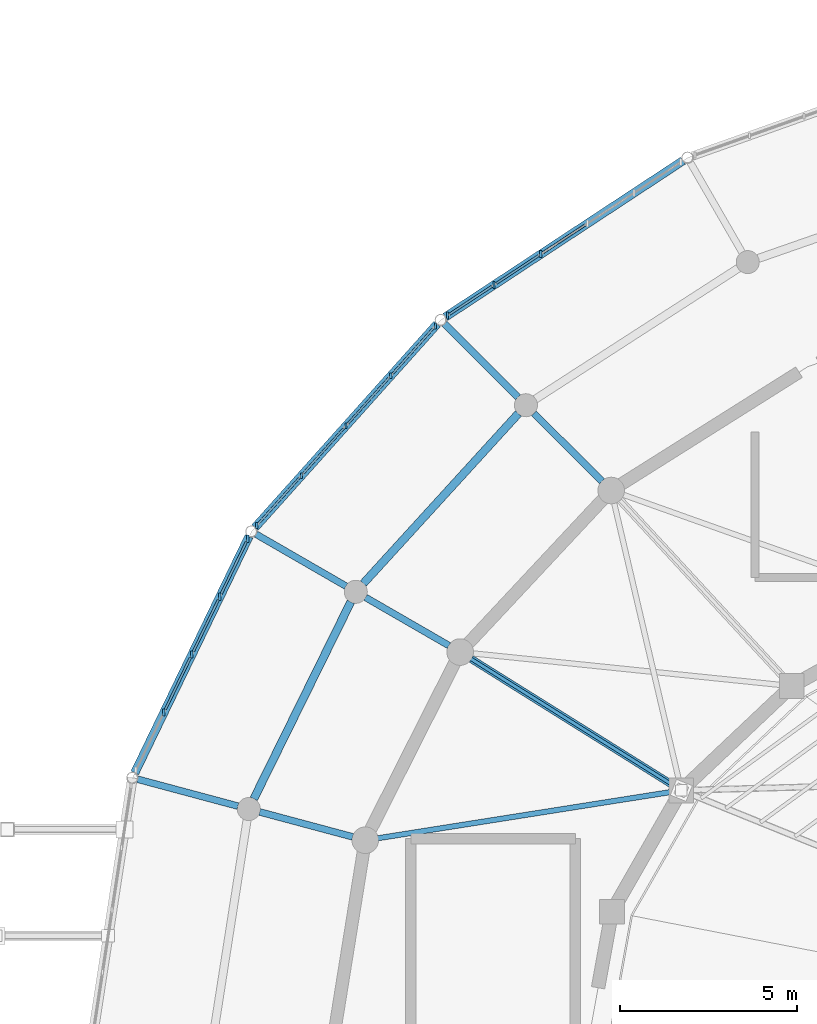
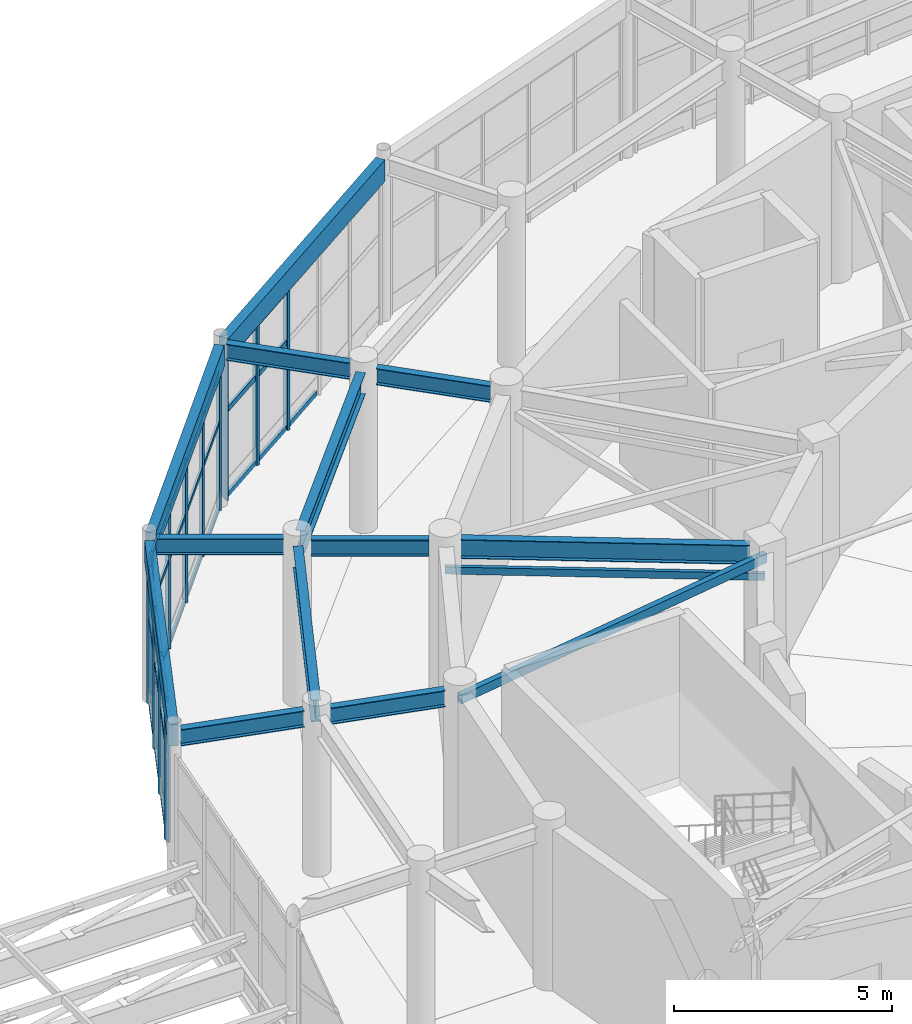
# One storey, part 39 of 144: 42 members, 12 beams, 3 elements without a shape of their own.
"""IFC4 building model written with IfcOpenShell, lengths in metres."""

from ifc_helpers import new_model, si_unit, direction, frame, origin, origin_2d, place, context, subcontext, project, spatial, rectangle, hollow_rectangle, i_section, extrude, material, material_profile, profile_set, type_object, element, aggregate, save


model = new_model("IFC4")

# Units and contexts
model_context = context("Model", 3, precision=1e-05, world=origin(), true_north=direction((0.0, 1.0)))
body_context = subcontext(model_context, "Body", "Model", "MODEL_VIEW")
ifc_project = project(units=[si_unit("LENGTHUNIT", "METRE"), si_unit("AREAUNIT", "SQUARE_METRE"), si_unit("VOLUMEUNIT", "CUBIC_METRE"), si_unit("PLANEANGLEUNIT", "RADIAN"), si_unit("MASSUNIT", "GRAM", prefix="KILO")], contexts=[model_context])

# Site, building, storey
site_placement = place(None, origin())
site = spatial("IfcSite", under=ifc_project, at=site_placement, CompositionType="ELEMENT")
building_placement = place(site_placement, origin())
building = spatial("IfcBuilding", under=site, at=building_placement, Name="Cinderbank Siding Concert Hall", CompositionType="ELEMENT")
storey_placement = place(building_placement, frame((0.0, 0.0, 5.39990234375)))
storey = spatial("IfcBuildingStorey", under=building, at=storey_placement, Name="L02", CompositionType="ELEMENT", Elevation=5.39990234375)

# Beams
ifc_material_1 = material(Name="Structural steel AS/NZS 3679.1 Grade 350 (340 MPa)", Category="steel")
ifc_material_profile_1 = material_profile(ifc_material_1, i_section(OverallWidth=0.19091796875, OverallDepth=0.46044921875, WebThickness=0.010009765625, FlangeThickness=0.01611328125, at=origin_2d()), Name="460UB82.1", Category="LoadBearing")
ifc_profile_set_1 = profile_set([ifc_material_profile_1], Name="Structural steel AS/NZS 3679.1 Grade 350 (340 MPa)")
beam_type_1 = type_object("IfcBeamType", Name="BM-UB460H 460UB82.1", PredefinedType="BEAM", material=ifc_profile_set_1)
beam_1_placement = place(storey_placement, frame((102.7900390625, 59.81591796875, 4.2919921875), z_axis=(-0.707151723938, 0.707061835578, 0.0), x_axis=(-0.707061835578, -0.707151723938, 0.0)))
element("IfcBeam", 1, at=beam_1_placement, inside=storey, type_object=beam_type_1, Name="L02 Beam BM-UB460H #506", PredefinedType="BEAM", context=body_context, shape_type="SweptSolid", body=[
    extrude(i_section(OverallWidth=0.19091796875, OverallDepth=0.46044921875, WebThickness=0.010009765625, FlangeThickness=0.01611328125, at=origin_2d()), origin(), (0.0, 0.0, 1.0), 2.716064453125),
])
beam_2_placement = place(storey_placement, frame((98.47265625, 55.18359375, 4.2919921875), z_axis=(-0.866032896488, 0.499987022033, 0.0), x_axis=(-0.499987022033, -0.866032896488, 0.0)))
element("IfcBeam", 2, at=beam_2_placement, inside=storey, type_object=beam_type_1, Name="L02 Beam BM-UB460H #507", PredefinedType="BEAM", context=body_context, shape_type="SweptSolid", body=[
    extrude(i_section(OverallWidth=0.19091796875, OverallDepth=0.46044921875, WebThickness=0.010009765625, FlangeThickness=0.01611328125, at=origin_2d()), origin(), (0.0, 0.0, 1.0), 2.7158203125),
])
beam_3_placement = place(storey_placement, frame((95.7587890625, 49.7890625, 4.2919921875), z_axis=(-0.965934410535, 0.258787006135, 0.0), x_axis=(-0.258787006135, -0.965934410535, 0.0)))
element("IfcBeam", 3, at=beam_3_placement, inside=storey, type_object=beam_type_1, Name="L02 Beam BM-UB460H #508", PredefinedType="BEAM", context=body_context, shape_type="SweptSolid", body=[
    extrude(i_section(OverallWidth=0.19091796875, OverallDepth=0.46044921875, WebThickness=0.010009765625, FlangeThickness=0.01611328125, at=origin_2d()), origin(), (0.0, 0.0, 1.0), 2.716064453125),
])
beam_4_placement = place(storey_placement, frame((100.421142578125, 62.184814453125, 4.331787109375), z_axis=(-0.707106781187, 0.707106781187, 0.0), x_axis=(-0.707106781187, -0.707106781187, 0.0)))
element("IfcBeam", 4, at=beam_4_placement, inside=storey, type_object=beam_type_1, Name="L02 Beam BM-UB460H #530", PredefinedType="BEAM", context=body_context, shape_type="SweptSolid", body=[
    extrude(i_section(OverallWidth=0.19091796875, OverallDepth=0.46044921875, WebThickness=0.010009765625, FlangeThickness=0.01611328125, at=origin_2d()), origin(), (0.0, 0.0, 1.0), 2.928955078125),
])
beam_5_placement = place(storey_placement, frame((95.571533203125, 56.8583984375, 4.331787109375), z_axis=(-0.866013467834, 0.500020673103, 0.0), x_axis=(-0.500020673103, -0.866013467834, 0.0)))
element("IfcBeam", 5, at=beam_5_placement, inside=storey, type_object=beam_type_1, Name="L02 Beam BM-UB460H #531", PredefinedType="BEAM", context=body_context, shape_type="SweptSolid", body=[
    extrude(i_section(OverallWidth=0.19091796875, OverallDepth=0.46044921875, WebThickness=0.010009765625, FlangeThickness=0.01611328125, at=origin_2d()), origin(), (0.0, 0.0, 1.0), 2.92919921875),
])
beam_6_placement = place(storey_placement, frame((92.522705078125, 50.656005859375, 4.331787109375), z_axis=(-0.965904885504, 0.258897184534, 0.0), x_axis=(-0.258897184534, -0.965904885504, 0.0)))
element("IfcBeam", 6, at=beam_6_placement, inside=storey, type_object=beam_type_1, Name="L02 Beam BM-UB460H #532", PredefinedType="BEAM", context=body_context, shape_type="SweptSolid", body=[
    extrude(i_section(OverallWidth=0.19091796875, OverallDepth=0.46044921875, WebThickness=0.010009765625, FlangeThickness=0.01611328125, at=origin_2d()), origin(), (0.0, 0.0, 1.0), 2.928955078125),
])
ifc_material_profile_2 = material_profile(ifc_material_1, i_section(OverallWidth=0.208984375, OverallDepth=0.532958984375, WebThickness=0.01025390625, FlangeThickness=0.015625, at=origin_2d()), Name="530UB92.4", Category="LoadBearing")
ifc_profile_set_2 = profile_set([ifc_material_profile_2], Name="Structural steel AS/NZS 3679.1 Grade 350 (340 MPa)")
beam_type_2 = type_object("IfcBeamType", Name="BM-UB530H 530UB92.4", PredefinedType="BEAM", material=ifc_profile_set_2)
beam_7_placement = place(storey_placement, frame((104.73583984375, 51.281494140625, 4.28564453125), z_axis=(-0.84781868984, 0.530286214376, 0.0), x_axis=(-0.530286214376, -0.84781868984, 0.0)))
element("IfcBeam", 7, at=beam_7_placement, inside=storey, type_object=beam_type_2, Name="L02 Beam BM-UB530H #489", PredefinedType="BEAM", context=body_context, shape_type="SweptSolid", body=[
    extrude(i_section(OverallWidth=0.208984375, OverallDepth=0.532958984375, WebThickness=0.01025390625, FlangeThickness=0.015625, at=origin_2d()), origin(), (0.0, 0.0, 1.0), 6.645263671875),
])
ifc_material_profile_3 = material_profile(ifc_material_1, i_section(OverallWidth=0.22802734375, OverallDepth=0.60693359375, WebThickness=0.01123046875, FlangeThickness=0.017333984375, at=origin_2d()), Name="610UB113", Category="LoadBearing")
ifc_profile_set_3 = profile_set([ifc_material_profile_3], Name="Structural steel AS/NZS 3679.1 Grade 350 (340 MPa)")
beam_type_3 = type_object("IfcBeamType", Name="BM-UB610M 610UB113", PredefinedType="BEAM", material=ifc_profile_set_3)
beam_8_placement = place(storey_placement, frame((100.431640625, 61.726318359375, 4.218505859375), z_axis=(-0.67395874418, -0.73876898361, 0.0), x_axis=(0.73876898361, -0.67395874418, 0.0)))
element("IfcBeam", 8, at=beam_8_placement, inside=storey, type_object=beam_type_3, Name="L02 Beam BM-UB610M #449", PredefinedType="BEAM", context=body_context, shape_type="SweptSolid", body=[
    extrude(i_section(OverallWidth=0.22802734375, OverallDepth=0.60693359375, WebThickness=0.01123046875, FlangeThickness=0.017333984375, at=origin_2d()), origin(), (0.0, 0.0, 1.0), 6.48681640625),
])
beam_9_placement = place(storey_placement, frame((95.705810546875, 56.41552734375, 4.218505859375), z_axis=(-0.441813843649, -0.897106753714, 0.0), x_axis=(0.897106753714, -0.441813843649, 0.0)))
element("IfcBeam", 9, at=beam_9_placement, inside=storey, type_object=beam_type_3, Name="L02 Beam BM-UB610M #450", PredefinedType="BEAM", context=body_context, shape_type="SweptSolid", body=[
    extrude(i_section(OverallWidth=0.22802734375, OverallDepth=0.60693359375, WebThickness=0.01123046875, FlangeThickness=0.017333984375, at=origin_2d()), origin(), (0.0, 0.0, 1.0), 6.194580078125),
])

# Curtain wall, members
ifc_material_2 = material(Name="Anodised aluminium alloy 6063-T6", Category="aluminium")
curtain_wall_type_1 = type_object("IfcCurtainWallType", Name="CW-10 Unitised Acoustic Curtain Wall 7200x3500", PredefinedType="NOTDEFINED", material=ifc_material_2)
curtain_wall_1_placement = place(storey_placement, origin())
curtain_wall_1 = element("IfcCurtainWall", 10, at=curtain_wall_1_placement, inside=storey, type_object=curtain_wall_type_1, Name="L02 Curtain Wall CW-10 #10", PredefinedType="NOTDEFINED")
ifc_material_profile_4 = material_profile(ifc_material_2, rectangle(XDim=0.06005859375, YDim=0.159912109375, at=origin_2d()), Name="ALU-MULL-60x160", Category="LoadBearing")
ifc_profile_set_4 = profile_set([ifc_material_profile_4], Name="Anodised aluminium alloy 6063-T6")
member_type_1 = type_object("IfcMemberType", Name="CW-ML1 Mullion 60x160", PredefinedType="MULLION", material=ifc_profile_set_4)
member_1_placement = place(storey_placement, frame((98.08984375, 64.195556640625, 0.0), z_axis=(0.0, 0.0, 1.0), x_axis=(1.0, 0.0, 0.0)))
member_1 = element("IfcMember", 11, at=member_1_placement, type_object=member_type_1, Name="CW-L02-010 Mullion 0", PredefinedType="MULLION", context=body_context, shape_type="SweptSolid", body=[
    extrude(rectangle(XDim=0.06005859375, YDim=0.159912109375, at=origin_2d()), origin(), (0.0, 0.0, 1.0), 3.947021484375),
])
member_2_placement = place(storey_placement, frame((96.83056640625, 62.7890625, 0.0), z_axis=(0.0, 0.0, 1.0), x_axis=(1.0, 0.0, 0.0)))
member_2 = element("IfcMember", 12, at=member_2_placement, type_object=member_type_1, Name="CW-L02-010 Mullion 1", PredefinedType="MULLION", context=body_context, shape_type="SweptSolid", body=[
    extrude(rectangle(XDim=0.06005859375, YDim=0.159912109375, at=origin_2d()), origin(), (0.0, 0.0, 1.0), 3.947021484375),
])
member_3_placement = place(storey_placement, frame((95.5712890625, 61.38232421875, 0.0), z_axis=(0.0, 0.0, 1.0), x_axis=(1.0, 0.0, 0.0)))
member_3 = element("IfcMember", 13, at=member_3_placement, type_object=member_type_1, Name="CW-L02-010 Mullion 2", PredefinedType="MULLION", context=body_context, shape_type="SweptSolid", body=[
    extrude(rectangle(XDim=0.06005859375, YDim=0.159912109375, at=origin_2d()), origin(), (0.0, 0.0, 1.0), 3.947021484375),
])
member_4_placement = place(storey_placement, frame((94.31201171875, 59.9755859375, 0.0), z_axis=(0.0, 0.0, 1.0), x_axis=(1.0, 0.0, 0.0)))
member_4 = element("IfcMember", 14, at=member_4_placement, type_object=member_type_1, Name="CW-L02-010 Mullion 3", PredefinedType="MULLION", context=body_context, shape_type="SweptSolid", body=[
    extrude(rectangle(XDim=0.06005859375, YDim=0.159912109375, at=origin_2d()), origin(), (0.0, 0.0, 1.0), 3.947021484375),
])
member_5_placement = place(storey_placement, frame((93.052978515625, 58.569091796875, 0.0), z_axis=(0.0, 0.0, 1.0), x_axis=(1.0, 0.0, 0.0)))
member_5 = element("IfcMember", 15, at=member_5_placement, type_object=member_type_1, Name="CW-L02-010 Mullion 4", PredefinedType="MULLION", context=body_context, shape_type="SweptSolid", body=[
    extrude(rectangle(XDim=0.06005859375, YDim=0.159912109375, at=origin_2d()), origin(), (0.0, 0.0, 1.0), 3.947021484375),
])

curtain_wall_type_2 = type_object("IfcCurtainWallType", Name="CW-09 Unitised Acoustic Curtain Wall 8000x3500", PredefinedType="NOTDEFINED", material=ifc_material_2)
curtain_wall_2_placement = place(storey_placement, origin())
curtain_wall_2 = element("IfcCurtainWall", 16, at=curtain_wall_2_placement, inside=storey, type_object=curtain_wall_type_2, Name="L02 Curtain Wall CW-09 #9", PredefinedType="NOTDEFINED")
ifc_material_profile_5 = material_profile(ifc_material_2, rectangle(XDim=0.06494140625, YDim=0.199951171875, at=origin_2d()), Name="ALU-MULL-65x200", Category="LoadBearing")
ifc_profile_set_5 = profile_set([ifc_material_profile_5], Name="Anodised aluminium alloy 6063-T6")
member_type_2 = type_object("IfcMemberType", Name="CW-ML2 Mullion 65x200", PredefinedType="MULLION", material=ifc_profile_set_5)
member_6_placement = place(storey_placement, frame((101.0625, 66.220458984375, 0.0), z_axis=(0.0, 0.0, 1.0), x_axis=(1.0, 0.0, 0.0)))
member_6 = element("IfcMember", 17, at=member_6_placement, type_object=member_type_2, Name="CW-L02-009 Mullion 3", PredefinedType="MULLION", context=body_context, shape_type="SweptSolid", body=[
    extrude(rectangle(XDim=0.06494140625, YDim=0.199951171875, at=origin_2d()), origin(), (0.0, 0.0, 1.0), 3.947021484375),
])
member_7_placement = place(storey_placement, frame((99.74658203125, 65.35498046875, 0.0), z_axis=(0.0, 0.0, 1.0), x_axis=(1.0, 0.0, 0.0)))
member_7 = element("IfcMember", 18, at=member_7_placement, type_object=member_type_2, Name="CW-L02-009 Mullion 4", PredefinedType="MULLION", context=body_context, shape_type="SweptSolid", body=[
    extrude(rectangle(XDim=0.06494140625, YDim=0.199951171875, at=origin_2d()), origin(), (0.0, 0.0, 1.0), 3.947021484375),
])
member_8_placement = place(storey_placement, frame((98.430908203125, 64.489501953125, 0.0), z_axis=(0.0, 0.0, 1.0), x_axis=(1.0, 0.0, 0.0)))
member_8 = element("IfcMember", 19, at=member_8_placement, type_object=member_type_2, Name="CW-L02-009 Mullion 5", PredefinedType="MULLION", context=body_context, shape_type="SweptSolid", body=[
    extrude(rectangle(XDim=0.06494140625, YDim=0.199951171875, at=origin_2d()), origin(), (0.0, 0.0, 1.0), 3.947021484375),
])

curtain_wall_type_3 = type_object("IfcCurtainWallType", Name="CW-11 Unitised Acoustic Curtain Wall 6600x3500", PredefinedType="NOTDEFINED", material=ifc_material_2)
curtain_wall_3_placement = place(storey_placement, origin())
curtain_wall_3 = element("IfcCurtainWall", 20, at=curtain_wall_3_placement, inside=storey, type_object=curtain_wall_type_3, Name="L02 Curtain Wall CW-11 #11", PredefinedType="NOTDEFINED")
member_9_placement = place(storey_placement, frame((92.802734375, 58.19580078125, 0.0), z_axis=(0.0, 0.0, 1.0), x_axis=(1.0, 0.0, 0.0)))
member_9 = element("IfcMember", 21, at=member_9_placement, type_object=member_type_2, Name="CW-L02-011 Mullion 0", PredefinedType="MULLION", context=body_context, shape_type="SweptSolid", body=[
    extrude(rectangle(XDim=0.06494140625, YDim=0.199951171875, at=origin_2d()), origin(), (0.0, 0.0, 1.0), 3.947021484375),
])
member_10_placement = place(storey_placement, frame((92.012939453125, 56.561279296875, 0.0), z_axis=(0.0, 0.0, 1.0), x_axis=(1.0, 0.0, 0.0)))
member_10 = element("IfcMember", 22, at=member_10_placement, type_object=member_type_2, Name="CW-L02-011 Mullion 1", PredefinedType="MULLION", context=body_context, shape_type="SweptSolid", body=[
    extrude(rectangle(XDim=0.06494140625, YDim=0.199951171875, at=origin_2d()), origin(), (0.0, 0.0, 1.0), 3.947021484375),
])
member_11_placement = place(storey_placement, frame((91.22314453125, 54.927001953125, 0.0), z_axis=(0.0, 0.0, 1.0), x_axis=(1.0, 0.0, 0.0)))
member_11 = element("IfcMember", 23, at=member_11_placement, type_object=member_type_2, Name="CW-L02-011 Mullion 2", PredefinedType="MULLION", context=body_context, shape_type="SweptSolid", body=[
    extrude(rectangle(XDim=0.06494140625, YDim=0.199951171875, at=origin_2d()), origin(), (0.0, 0.0, 1.0), 3.947021484375),
])
member_12_placement = place(storey_placement, frame((90.433349609375, 53.292724609375, 0.0), z_axis=(0.0, 0.0, 1.0), x_axis=(1.0, 0.0, 0.0)))
member_12 = element("IfcMember", 24, at=member_12_placement, type_object=member_type_2, Name="CW-L02-011 Mullion 3", PredefinedType="MULLION", context=body_context, shape_type="SweptSolid", body=[
    extrude(rectangle(XDim=0.06494140625, YDim=0.199951171875, at=origin_2d()), origin(), (0.0, 0.0, 1.0), 3.947021484375),
])

# Member
ifc_material_profile_6 = material_profile(ifc_material_2, rectangle(XDim=0.06005859375, YDim=0.1201171875, at=origin_2d()), Name="ALU-TRAN-60x120", Category="LoadBearing")
ifc_profile_set_6 = profile_set([ifc_material_profile_6], Name="Anodised aluminium alloy 6063-T6")
member_type_3 = type_object("IfcMemberType", Name="CW-TR1 Transom 60x120", PredefinedType="USERDEFINED", material=ifc_profile_set_6)
member_13_placement = place(storey_placement, frame((98.02685546875, 64.125244140625, 0.06005859375), z_axis=(-0.667017441515, -0.745042101304, 0.0), x_axis=(0.745042101304, -0.667017441515, 0.0)))
member_13 = element("IfcMember", 25, at=member_13_placement, type_object=member_type_3, Name="CW-L02-010 Transom 0-0", ObjectType="TRANSOM", PredefinedType="USERDEFINED", context=body_context, shape_type="SweptSolid", body=[
    extrude(rectangle(XDim=0.06005859375, YDim=0.1201171875, at=origin_2d()), origin(), (0.0, 0.0, 1.0), 1.698974609375),
])

member_14_placement = place(storey_placement, frame((98.02685546875, 64.125244140625, 2.447265625), z_axis=(-0.667017441515, -0.745042101304, 0.0), x_axis=(0.745042101304, -0.667017441515, 0.0)))
member_14 = element("IfcMember", 26, at=member_14_placement, type_object=member_type_3, Name="CW-L02-010 Transom 0-1", ObjectType="TRANSOM", PredefinedType="USERDEFINED", context=body_context, shape_type="SweptSolid", body=[
    extrude(rectangle(XDim=0.06005859375, YDim=0.1201171875, at=origin_2d()), origin(), (0.0, 0.0, 1.0), 1.698974609375),
])

member_15_placement = place(storey_placement, frame((98.02685546875, 64.125244140625, 3.88720703125), z_axis=(-0.667017441515, -0.745042101304, 0.0), x_axis=(0.745042101304, -0.667017441515, 0.0)))
member_15 = element("IfcMember", 27, at=member_15_placement, type_object=member_type_3, Name="CW-L02-010 Transom 0-2", ObjectType="TRANSOM", PredefinedType="USERDEFINED", context=body_context, shape_type="SweptSolid", body=[
    extrude(rectangle(XDim=0.06005859375, YDim=0.1201171875, at=origin_2d()), origin(), (0.0, 0.0, 1.0), 1.698974609375),
])

member_16_placement = place(storey_placement, frame((96.767578125, 62.718505859375, 0.06005859375), z_axis=(-0.667017441515, -0.745042101304, 0.0), x_axis=(0.745042101304, -0.667017441515, 0.0)))
member_16 = element("IfcMember", 28, at=member_16_placement, type_object=member_type_3, Name="CW-L02-010 Transom 1-0", ObjectType="TRANSOM", PredefinedType="USERDEFINED", context=body_context, shape_type="SweptSolid", body=[
    extrude(rectangle(XDim=0.06005859375, YDim=0.1201171875, at=origin_2d()), origin(), (0.0, 0.0, 1.0), 1.698974609375),
])

member_17_placement = place(storey_placement, frame((96.767578125, 62.718505859375, 2.447265625), z_axis=(-0.667017441515, -0.745042101304, 0.0), x_axis=(0.745042101304, -0.667017441515, 0.0)))
member_17 = element("IfcMember", 29, at=member_17_placement, type_object=member_type_3, Name="CW-L02-010 Transom 1-1", ObjectType="TRANSOM", PredefinedType="USERDEFINED", context=body_context, shape_type="SweptSolid", body=[
    extrude(rectangle(XDim=0.06005859375, YDim=0.1201171875, at=origin_2d()), origin(), (0.0, 0.0, 1.0), 1.698974609375),
])

member_18_placement = place(storey_placement, frame((96.767578125, 62.718505859375, 3.88720703125), z_axis=(-0.667017441515, -0.745042101304, 0.0), x_axis=(0.745042101304, -0.667017441515, 0.0)))
member_18 = element("IfcMember", 30, at=member_18_placement, type_object=member_type_3, Name="CW-L02-010 Transom 1-2", ObjectType="TRANSOM", PredefinedType="USERDEFINED", context=body_context, shape_type="SweptSolid", body=[
    extrude(rectangle(XDim=0.06005859375, YDim=0.1201171875, at=origin_2d()), origin(), (0.0, 0.0, 1.0), 1.698974609375),
])

member_19_placement = place(storey_placement, frame((95.50830078125, 61.31201171875, 0.06005859375), z_axis=(-0.667017441515, -0.745042101304, 0.0), x_axis=(0.745042101304, -0.667017441515, 0.0)))
member_19 = element("IfcMember", 31, at=member_19_placement, type_object=member_type_3, Name="CW-L02-010 Transom 2-0", ObjectType="TRANSOM", PredefinedType="USERDEFINED", context=body_context, shape_type="SweptSolid", body=[
    extrude(rectangle(XDim=0.06005859375, YDim=0.1201171875, at=origin_2d()), origin(), (0.0, 0.0, 1.0), 1.698974609375),
])

member_20_placement = place(storey_placement, frame((95.50830078125, 61.31201171875, 2.447265625), z_axis=(-0.667017441515, -0.745042101304, 0.0), x_axis=(0.745042101304, -0.667017441515, 0.0)))
member_20 = element("IfcMember", 32, at=member_20_placement, type_object=member_type_3, Name="CW-L02-010 Transom 2-1", ObjectType="TRANSOM", PredefinedType="USERDEFINED", context=body_context, shape_type="SweptSolid", body=[
    extrude(rectangle(XDim=0.06005859375, YDim=0.1201171875, at=origin_2d()), origin(), (0.0, 0.0, 1.0), 1.698974609375),
])

member_21_placement = place(storey_placement, frame((95.50830078125, 61.31201171875, 3.88720703125), z_axis=(-0.667017441515, -0.745042101304, 0.0), x_axis=(0.745042101304, -0.667017441515, 0.0)))
member_21 = element("IfcMember", 33, at=member_21_placement, type_object=member_type_3, Name="CW-L02-010 Transom 2-2", ObjectType="TRANSOM", PredefinedType="USERDEFINED", context=body_context, shape_type="SweptSolid", body=[
    extrude(rectangle(XDim=0.06005859375, YDim=0.1201171875, at=origin_2d()), origin(), (0.0, 0.0, 1.0), 1.698974609375),
])

member_22_placement = place(storey_placement, frame((94.249267578125, 59.905517578125, 0.06005859375), z_axis=(-0.667025792822, -0.745034624504, 0.0), x_axis=(0.745034624504, -0.667025792822, 0.0)))
member_22 = element("IfcMember", 34, at=member_22_placement, type_object=member_type_3, Name="CW-L02-010 Transom 3-0", ObjectType="TRANSOM", PredefinedType="USERDEFINED", context=body_context, shape_type="SweptSolid", body=[
    extrude(rectangle(XDim=0.06005859375, YDim=0.1201171875, at=origin_2d()), origin(), (0.0, 0.0, 1.0), 1.699462890625),
])

member_23_placement = place(storey_placement, frame((94.249267578125, 59.905517578125, 2.447265625), z_axis=(-0.667025792822, -0.745034624504, 0.0), x_axis=(0.745034624504, -0.667025792822, 0.0)))
member_23 = element("IfcMember", 35, at=member_23_placement, type_object=member_type_3, Name="CW-L02-010 Transom 3-1", ObjectType="TRANSOM", PredefinedType="USERDEFINED", context=body_context, shape_type="SweptSolid", body=[
    extrude(rectangle(XDim=0.06005859375, YDim=0.1201171875, at=origin_2d()), origin(), (0.0, 0.0, 1.0), 1.699462890625),
])

member_24_placement = place(storey_placement, frame((94.249267578125, 59.905517578125, 3.88720703125), z_axis=(-0.667025792822, -0.745034624504, 0.0), x_axis=(0.745034624504, -0.667025792822, 0.0)))
member_24 = element("IfcMember", 36, at=member_24_placement, type_object=member_type_3, Name="CW-L02-010 Transom 3-2", ObjectType="TRANSOM", PredefinedType="USERDEFINED", context=body_context, shape_type="SweptSolid", body=[
    extrude(rectangle(XDim=0.06005859375, YDim=0.1201171875, at=origin_2d()), origin(), (0.0, 0.0, 1.0), 1.699462890625),
])

aggregate(curtain_wall_1, [member_1, member_2, member_3, member_4, member_5, member_13, member_14, member_15, member_16, member_17, member_18, member_19, member_20, member_21, member_22, member_23, member_24])

ifc_material_profile_7 = material_profile(ifc_material_2, rectangle(XDim=0.06494140625, YDim=0.14990234375, at=origin_2d()), Name="ALU-TRAN-65x150", Category="LoadBearing")
ifc_profile_set_7 = profile_set([ifc_material_profile_7], Name="Anodised aluminium alloy 6063-T6")
member_type_4 = type_object("IfcMemberType", Name="CW-TR2 Transom 65x150", PredefinedType="USERDEFINED", material=ifc_profile_set_7)
member_25_placement = place(storey_placement, frame((102.312744140625, 67.04248046875, 0.06005859375), z_axis=(-0.835531529407, -0.549442502331, 0.0), x_axis=(0.549442502331, -0.835531529407, 0.0)))
member_25 = element("IfcMember", 37, at=member_25_placement, type_object=member_type_4, Name="CW-L02-009 Transom 2-0", ObjectType="TRANSOM", PredefinedType="USERDEFINED", context=body_context, shape_type="SweptSolid", body=[
    extrude(rectangle(XDim=0.06494140625, YDim=0.14990234375, at=origin_2d()), origin(), (0.0, 0.0, 1.0), 1.41748046875),
])

member_26_placement = place(storey_placement, frame((100.996826171875, 66.177001953125, 0.06005859375), z_axis=(-0.835531529407, -0.549442502331, 0.0), x_axis=(0.549442502331, -0.835531529407, 0.0)))
member_26 = element("IfcMember", 38, at=member_26_placement, type_object=member_type_4, Name="CW-L02-009 Transom 3-0", ObjectType="TRANSOM", PredefinedType="USERDEFINED", context=body_context, shape_type="SweptSolid", body=[
    extrude(rectangle(XDim=0.06494140625, YDim=0.14990234375, at=origin_2d()), origin(), (0.0, 0.0, 1.0), 1.41748046875),
])

member_27_placement = place(storey_placement, frame((100.996826171875, 66.177001953125, 2.447265625), z_axis=(-0.835531529407, -0.549442502331, 0.0), x_axis=(0.549442502331, -0.835531529407, 0.0)))
member_27 = element("IfcMember", 39, at=member_27_placement, type_object=member_type_4, Name="CW-L02-009 Transom 3-1", ObjectType="TRANSOM", PredefinedType="USERDEFINED", context=body_context, shape_type="SweptSolid", body=[
    extrude(rectangle(XDim=0.06494140625, YDim=0.14990234375, at=origin_2d()), origin(), (0.0, 0.0, 1.0), 1.41748046875),
])

member_28_placement = place(storey_placement, frame((100.996826171875, 66.177001953125, 3.88720703125), z_axis=(-0.835531529407, -0.549442502331, 0.0), x_axis=(0.549442502331, -0.835531529407, 0.0)))
member_28 = element("IfcMember", 40, at=member_28_placement, type_object=member_type_4, Name="CW-L02-009 Transom 3-2", ObjectType="TRANSOM", PredefinedType="USERDEFINED", context=body_context, shape_type="SweptSolid", body=[
    extrude(rectangle(XDim=0.06494140625, YDim=0.14990234375, at=origin_2d()), origin(), (0.0, 0.0, 1.0), 1.41748046875),
])

member_29_placement = place(storey_placement, frame((99.680908203125, 65.3115234375, 0.06005859375), z_axis=(-0.835531529407, -0.549442502331, 0.0), x_axis=(0.549442502331, -0.835531529407, 0.0)))
member_29 = element("IfcMember", 41, at=member_29_placement, type_object=member_type_4, Name="CW-L02-009 Transom 4-0", ObjectType="TRANSOM", PredefinedType="USERDEFINED", context=body_context, shape_type="SweptSolid", body=[
    extrude(rectangle(XDim=0.06494140625, YDim=0.14990234375, at=origin_2d()), origin(), (0.0, 0.0, 1.0), 1.41748046875),
])

member_30_placement = place(storey_placement, frame((99.680908203125, 65.3115234375, 2.447265625), z_axis=(-0.835531529407, -0.549442502331, 0.0), x_axis=(0.549442502331, -0.835531529407, 0.0)))
member_30 = element("IfcMember", 42, at=member_30_placement, type_object=member_type_4, Name="CW-L02-009 Transom 4-1", ObjectType="TRANSOM", PredefinedType="USERDEFINED", context=body_context, shape_type="SweptSolid", body=[
    extrude(rectangle(XDim=0.06494140625, YDim=0.14990234375, at=origin_2d()), origin(), (0.0, 0.0, 1.0), 1.41748046875),
])

member_31_placement = place(storey_placement, frame((99.680908203125, 65.3115234375, 3.88720703125), z_axis=(-0.835531529407, -0.549442502331, 0.0), x_axis=(0.549442502331, -0.835531529407, 0.0)))
member_31 = element("IfcMember", 43, at=member_31_placement, type_object=member_type_4, Name="CW-L02-009 Transom 4-2", ObjectType="TRANSOM", PredefinedType="USERDEFINED", context=body_context, shape_type="SweptSolid", body=[
    extrude(rectangle(XDim=0.06494140625, YDim=0.14990234375, at=origin_2d()), origin(), (0.0, 0.0, 1.0), 1.41748046875),
])

aggregate(curtain_wall_2, [member_6, member_7, member_8, member_25, member_26, member_27, member_28, member_29, member_30, member_31])

member_32_placement = place(storey_placement, frame((92.76318359375, 58.114013671875, 0.06005859375), z_axis=(-0.435037415308, -0.900412376238, 0.0), x_axis=(0.900412376238, -0.435037415308, 0.0)))
member_32 = element("IfcMember", 44, at=member_32_placement, type_object=member_type_4, Name="CW-L02-011 Transom 0-0", ObjectType="TRANSOM", PredefinedType="USERDEFINED", context=body_context, shape_type="SweptSolid", body=[
    extrude(rectangle(XDim=0.06494140625, YDim=0.14990234375, at=origin_2d()), origin(), (0.0, 0.0, 1.0), 1.633544921875),
])

member_33_placement = place(storey_placement, frame((92.76318359375, 58.114013671875, 2.447265625), z_axis=(-0.435037415308, -0.900412376238, 0.0), x_axis=(0.900412376238, -0.435037415308, 0.0)))
member_33 = element("IfcMember", 45, at=member_33_placement, type_object=member_type_4, Name="CW-L02-011 Transom 0-1", ObjectType="TRANSOM", PredefinedType="USERDEFINED", context=body_context, shape_type="SweptSolid", body=[
    extrude(rectangle(XDim=0.06494140625, YDim=0.14990234375, at=origin_2d()), origin(), (0.0, 0.0, 1.0), 1.633544921875),
])

member_34_placement = place(storey_placement, frame((92.76318359375, 58.114013671875, 3.88720703125), z_axis=(-0.435037415308, -0.900412376238, 0.0), x_axis=(0.900412376238, -0.435037415308, 0.0)))
member_34 = element("IfcMember", 46, at=member_34_placement, type_object=member_type_4, Name="CW-L02-011 Transom 0-2", ObjectType="TRANSOM", PredefinedType="USERDEFINED", context=body_context, shape_type="SweptSolid", body=[
    extrude(rectangle(XDim=0.06494140625, YDim=0.14990234375, at=origin_2d()), origin(), (0.0, 0.0, 1.0), 1.633544921875),
])

member_35_placement = place(storey_placement, frame((91.973388671875, 56.4794921875, 0.06005859375), z_axis=(-0.435095962233, -0.900384086737, 0.0), x_axis=(0.900384086737, -0.435095962233, 0.0)))
member_35 = element("IfcMember", 47, at=member_35_placement, type_object=member_type_4, Name="CW-L02-011 Transom 1-0", ObjectType="TRANSOM", PredefinedType="USERDEFINED", context=body_context, shape_type="SweptSolid", body=[
    extrude(rectangle(XDim=0.06494140625, YDim=0.14990234375, at=origin_2d()), origin(), (0.0, 0.0, 1.0), 1.63330078125),
])

member_36_placement = place(storey_placement, frame((91.973388671875, 56.4794921875, 2.447265625), z_axis=(-0.435095962233, -0.900384086737, 0.0), x_axis=(0.900384086737, -0.435095962233, 0.0)))
member_36 = element("IfcMember", 48, at=member_36_placement, type_object=member_type_4, Name="CW-L02-011 Transom 1-1", ObjectType="TRANSOM", PredefinedType="USERDEFINED", context=body_context, shape_type="SweptSolid", body=[
    extrude(rectangle(XDim=0.06494140625, YDim=0.14990234375, at=origin_2d()), origin(), (0.0, 0.0, 1.0), 1.63330078125),
])

member_37_placement = place(storey_placement, frame((91.973388671875, 56.4794921875, 3.88720703125), z_axis=(-0.435095962233, -0.900384086737, 0.0), x_axis=(0.900384086737, -0.435095962233, 0.0)))
member_37 = element("IfcMember", 49, at=member_37_placement, type_object=member_type_4, Name="CW-L02-011 Transom 1-2", ObjectType="TRANSOM", PredefinedType="USERDEFINED", context=body_context, shape_type="SweptSolid", body=[
    extrude(rectangle(XDim=0.06494140625, YDim=0.14990234375, at=origin_2d()), origin(), (0.0, 0.0, 1.0), 1.63330078125),
])

member_38_placement = place(storey_placement, frame((91.18359375, 54.84521484375, 0.06005859375), z_axis=(-0.435095962233, -0.900384086737, 0.0), x_axis=(0.900384086737, -0.435095962233, 0.0)))
member_38 = element("IfcMember", 50, at=member_38_placement, type_object=member_type_4, Name="CW-L02-011 Transom 2-0", ObjectType="TRANSOM", PredefinedType="USERDEFINED", context=body_context, shape_type="SweptSolid", body=[
    extrude(rectangle(XDim=0.06494140625, YDim=0.14990234375, at=origin_2d()), origin(), (0.0, 0.0, 1.0), 1.63330078125),
])

member_39_placement = place(storey_placement, frame((91.18359375, 54.84521484375, 2.447265625), z_axis=(-0.435095962233, -0.900384086737, 0.0), x_axis=(0.900384086737, -0.435095962233, 0.0)))
member_39 = element("IfcMember", 51, at=member_39_placement, type_object=member_type_4, Name="CW-L02-011 Transom 2-1", ObjectType="TRANSOM", PredefinedType="USERDEFINED", context=body_context, shape_type="SweptSolid", body=[
    extrude(rectangle(XDim=0.06494140625, YDim=0.14990234375, at=origin_2d()), origin(), (0.0, 0.0, 1.0), 1.63330078125),
])

member_40_placement = place(storey_placement, frame((91.18359375, 54.84521484375, 3.88720703125), z_axis=(-0.435095962233, -0.900384086737, 0.0), x_axis=(0.900384086737, -0.435095962233, 0.0)))
member_40 = element("IfcMember", 52, at=member_40_placement, type_object=member_type_4, Name="CW-L02-011 Transom 2-2", ObjectType="TRANSOM", PredefinedType="USERDEFINED", context=body_context, shape_type="SweptSolid", body=[
    extrude(rectangle(XDim=0.06494140625, YDim=0.14990234375, at=origin_2d()), origin(), (0.0, 0.0, 1.0), 1.63330078125),
])

aggregate(curtain_wall_3, [member_9, member_10, member_11, member_12, member_32, member_33, member_34, member_35, member_36, member_37, member_38, member_39, member_40])

ifc_material_3 = material(Name="Structural steel hollow section AS/NZS 1163 Grade C350L0 (350 MPa)", Category="steel")
ifc_material_profile_8 = material_profile(ifc_material_3, hollow_rectangle(XDim=0.10009765625, YDim=0.199951171875, WallThickness=0.008056640625, at=origin_2d()), Name="200x100x8.0RHS", Category="LoadBearing")
ifc_profile_set_8 = profile_set([ifc_material_profile_8], Name="Structural steel hollow section AS/NZS 1163 Grade C350L0 (350 MPa)")
member_type_5 = type_object("IfcMemberType", Name="PR-RHS200 200x100x8.0RHS Roof Truss", PredefinedType="PURLIN", material=ifc_profile_set_8)
member_41_placement = place(storey_placement, frame((105.02587890625, 51.10009765625, 3.64013671875), z_axis=(-0.847826684568, 0.530273432235, 0.0), x_axis=(-0.530273432235, -0.847826684568, 0.0)))
element("IfcMember", 53, at=member_41_placement, inside=storey, type_object=member_type_5, Name="L02 Roof Truss Member PR-RHS200 #2220", PredefinedType="PURLIN", context=body_context, shape_type="SweptSolid", body=[
    extrude(hollow_rectangle(XDim=0.10009765625, YDim=0.199951171875, WallThickness=0.008056640625, at=origin_2d()), origin(), (0.0, 0.0, 1.0), 7.3544921875),
])

# Beams
ifc_material_4 = material(Name="Spotted gum glulam timber GL18 (42 MPa)", Category="wood")
ifc_material_profile_9 = material_profile(ifc_material_4, rectangle(XDim=0.239990234375, YDim=0.60009765625, at=origin_2d()), Name="GL18-240x600", Category="LoadBearing")
ifc_profile_set_9 = profile_set([ifc_material_profile_9], Name="Spotted gum glulam timber GL18 (42 MPa)")
beam_type_4 = type_object("IfcBeamType", Name="SP-GL600 GL18-240x600", PredefinedType="SPANDREL", material=ifc_profile_set_9)
beam_10_placement = place(storey_placement, frame((105.0712890625, 68.85693359375, 4.26220703125), z_axis=(-0.835480702777, -0.549519786074, 0.0), x_axis=(0.549519786074, -0.835480702777, 0.0)))
element("IfcBeam", 54, at=beam_10_placement, inside=storey, type_object=beam_type_4, Name="L02 Beam SP-GL600 #472", PredefinedType="SPANDREL", context=body_context, shape_type="SweptSolid", body=[
    extrude(rectangle(XDim=0.239990234375, YDim=0.60009765625, at=origin_2d()), origin(), (0.0, 0.0, 1.0), 8.02099609375),
])
beam_11_placement = place(storey_placement, frame((98.138427734375, 64.25, 4.26220703125), z_axis=(-0.666985816213, -0.745070413432, 0.0), x_axis=(0.745070413432, -0.666985816213, 0.0)))
element("IfcBeam", 55, at=beam_11_placement, inside=storey, type_object=beam_type_4, Name="L02 Beam SP-GL600 #473", PredefinedType="SPANDREL", context=body_context, shape_type="SweptSolid", body=[
    extrude(rectangle(XDim=0.239990234375, YDim=0.60009765625, at=origin_2d()), origin(), (0.0, 0.0, 1.0), 7.69775390625),
])
beam_12_placement = place(storey_placement, frame((92.83447265625, 58.261474609375, 4.26220703125), z_axis=(-0.435095625105, -0.900384249648, 0.0), x_axis=(0.900384249648, -0.435095625105, 0.0)))
element("IfcBeam", 56, at=beam_12_placement, inside=storey, type_object=beam_type_4, Name="L02 Beam SP-GL600 #474", PredefinedType="SPANDREL", context=body_context, shape_type="SweptSolid", body=[
    extrude(rectangle(XDim=0.239990234375, YDim=0.60009765625, at=origin_2d()), origin(), (0.0, 0.0, 1.0), 7.40673828125),
])

# Member
ifc_material_profile_10 = material_profile(ifc_material_3, hollow_rectangle(XDim=0.14990234375, YDim=0.25, WallThickness=0.009033203125, at=origin_2d()), Name="250x150x9.0RHS", Category="LoadBearing")
ifc_profile_set_10 = profile_set([ifc_material_profile_10], Name="Structural steel hollow section AS/NZS 1163 Grade C350L0 (350 MPa)")
member_type_6 = type_object("IfcMemberType", Name="TR-RHS250 250x150x9.0RHS Roof Truss", PredefinedType="RAFTER", material=ifc_profile_set_10)
member_42_placement = place(storey_placement, frame((105.02587890625, 51.10009765625, 4.18017578125), z_axis=(-0.987784236991, -0.155827793262, 0.0), x_axis=(0.155827793262, -0.987784236991, 0.0)))
element("IfcMember", 57, at=member_42_placement, inside=storey, type_object=member_type_6, Name="L02 Roof Truss Member TR-RHS250 #2219", PredefinedType="RAFTER", context=body_context, shape_type="SweptSolid", body=[
    extrude(hollow_rectangle(XDim=0.14990234375, YDim=0.25, WallThickness=0.009033203125, at=origin_2d()), origin(), (0.0, 0.0, 1.0), 9.022705078125),
])

save(model, "model.ifc")
